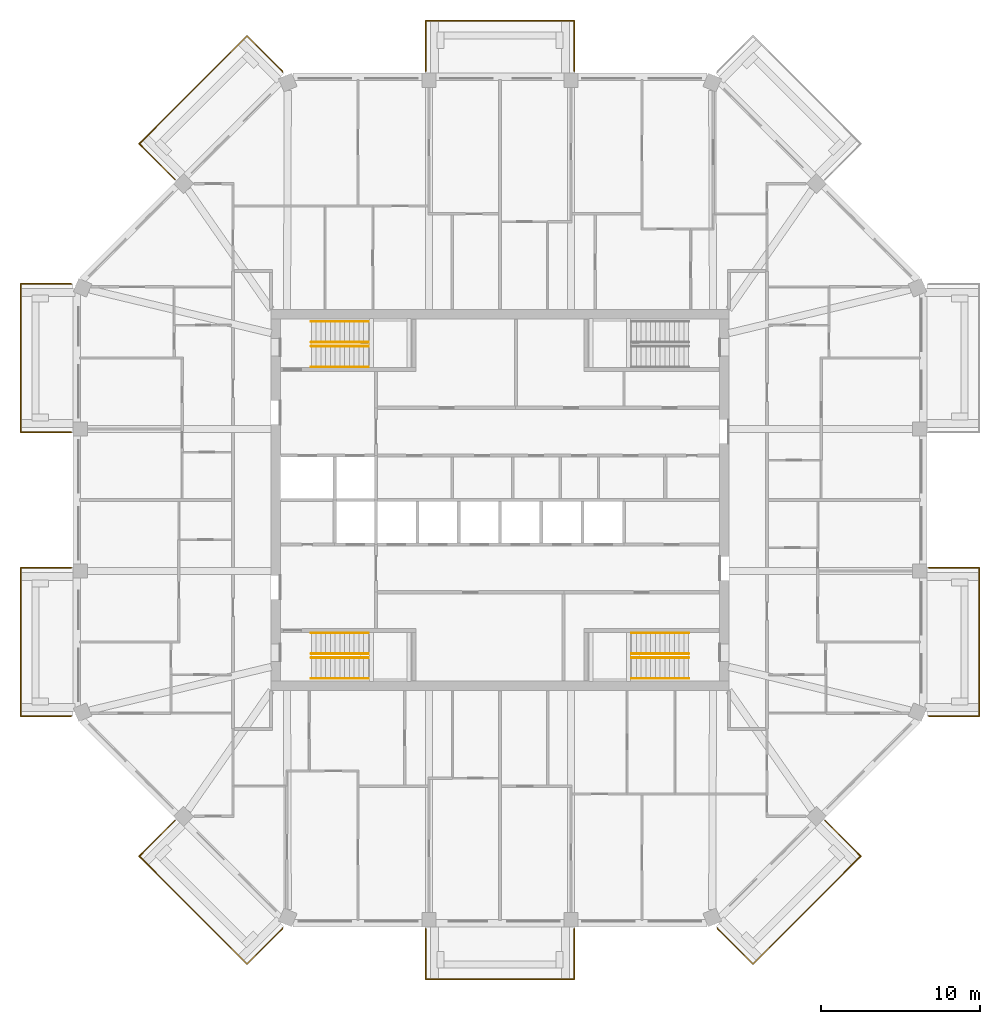
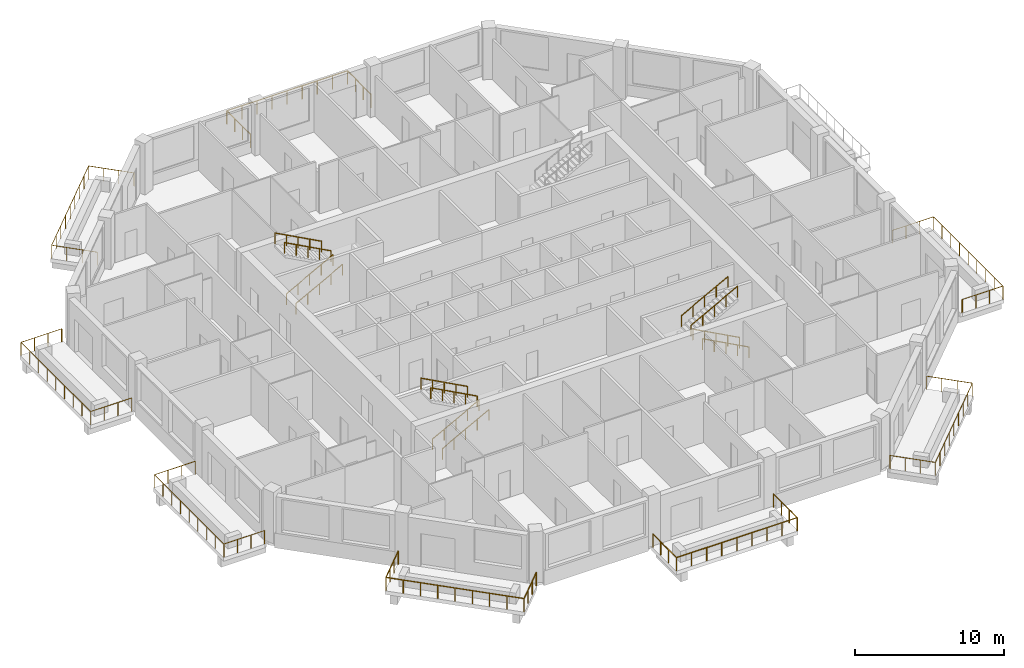
# One storey, part 11 of 12: 20 railings.
"""IFC4 building model written with IfcOpenShell, lengths in metres."""

from ifc_helpers import new_model, si_unit, direction, frame, origin, origin_2d, place, context, subcontext, project, spatial, circle, extrude, material, constituent, constituent_set, type_object, element, save


model = new_model("IFC4")

# Units and contexts
model_context = context("Model", 3, precision=1e-05, world=origin(), true_north=direction((0.0, 1.0)))
body_context = subcontext(model_context, "Body", "Model", "MODEL_VIEW")
ifc_project = project(units=[si_unit("LENGTHUNIT", "METRE"), si_unit("AREAUNIT", "SQUARE_METRE"), si_unit("VOLUMEUNIT", "CUBIC_METRE"), si_unit("PLANEANGLEUNIT", "RADIAN"), si_unit("MASSUNIT", "GRAM", prefix="KILO")], contexts=[model_context])

# Site, building, storey
site_placement = place(None, origin())
site = spatial("IfcSite", under=ifc_project, at=site_placement, CompositionType="ELEMENT")
building_placement = place(site_placement, origin())
building = spatial("IfcBuilding", under=site, at=building_placement, Name="Msitu Wima Residences", CompositionType="ELEMENT")
storey_placement = place(building_placement, frame((0.0, 0.0, 272.699951171875)))
storey = spatial("IfcBuildingStorey", under=building, at=storey_placement, Name="L63", CompositionType="ELEMENT", Elevation=272.699951171875)

# Railings
ifc_material_1 = material(Name="Steel S355", Category="steel")
ifc_constituent_1 = constituent(ifc_material_1, Name="Steel S355")
ifc_material_2 = material(Name="Weathering patina")
ifc_constituent_2 = constituent(ifc_material_2, Name="Weathering patina")
ifc_constituent_set_1 = constituent_set(constituents=[ifc_constituent_1, ifc_constituent_2], Name="Steel S355")
railing_type_1 = type_object("IfcRailingType", Name="Balcony guard GR1100", PredefinedType="GUARDRAIL", material=ifc_constituent_set_1)
railing_1_placement = place(storey_placement, frame((26.97998046875, -4.2685546875, 0.0)))
element("IfcRailing", 1, at=railing_1_placement, inside=storey, type_object=railing_type_1, Name="Balcony guard E0 L63", PredefinedType="GUARDRAIL", context=body_context, shape_type="SweptSolid", body=[
    extrude(circle(Radius=0.02392578125, at=origin_2d()), frame((0.0, 0.0, 1.076171875), z_axis=(1.0, 0.0, 0.0), x_axis=(0.0, 1.0, 0.0)), (0.0, 0.0, 1.0), 3.169921875),
    extrude(circle(Radius=0.02392578125, at=origin_2d()), frame((3.169921875, 0.0, 1.076171875), z_axis=(0.0, -1.0, 0.0), x_axis=(1.0, 0.0, 0.0)), (0.0, 0.0, 1.0), 9.33740234375),
    extrude(circle(Radius=0.02392578125, at=origin_2d()), frame((3.169921875, -9.33740234375, 1.076171875), z_axis=(-1.0, 0.0, 0.0), x_axis=(0.0, -1.0, 0.0)), (0.0, 0.0, 1.0), 3.136474609375),
    extrude(circle(Radius=0.02392578125, at=origin_2d()), frame((0.033447265625, -9.33740234375, 1.076171875), z_axis=(-0.923276184907, 0.384136806859, 0.0), x_axis=(-0.384136806859, -0.923276184907, 0.0)), (0.0, 0.0, 1.0), 0.0361328125),
    extrude(circle(Radius=0.02099609375, at=origin_2d()), origin(), (0.0, 0.0, 1.0), 1.052001953125),
    extrude(circle(Radius=0.02099609375, at=origin_2d()), frame((1.056640625, 0.0, 0.0)), (0.0, 0.0, 1.0), 1.052001953125),
    extrude(circle(Radius=0.02099609375, at=origin_2d()), frame((2.11328125, 0.0, 0.0)), (0.0, 0.0, 1.0), 1.052001953125),
    extrude(circle(Radius=0.02099609375, at=origin_2d()), frame((3.169921875, 0.0, 0.0)), (0.0, 0.0, 1.0), 1.052001953125),
    extrude(circle(Radius=0.02099609375, at=origin_2d()), frame((3.169921875, -1.167236328125, 0.0)), (0.0, 0.0, 1.0), 1.052001953125),
    extrude(circle(Radius=0.02099609375, at=origin_2d()), frame((3.169921875, -2.33447265625, 0.0)), (0.0, 0.0, 1.0), 1.052001953125),
    extrude(circle(Radius=0.02099609375, at=origin_2d()), frame((3.169921875, -3.50146484375, 0.0)), (0.0, 0.0, 1.0), 1.052001953125),
    extrude(circle(Radius=0.02099609375, at=origin_2d()), frame((3.169921875, -4.668701171875, 0.0)), (0.0, 0.0, 1.0), 1.052001953125),
    extrude(circle(Radius=0.02099609375, at=origin_2d()), frame((3.169921875, -5.8359375, 0.0)), (0.0, 0.0, 1.0), 1.052001953125),
    extrude(circle(Radius=0.02099609375, at=origin_2d()), frame((3.169921875, -7.0029296875, 0.0)), (0.0, 0.0, 1.0), 1.052001953125),
    extrude(circle(Radius=0.02099609375, at=origin_2d()), frame((3.169921875, -8.170166015625, 0.0)), (0.0, 0.0, 1.0), 1.052001953125),
    extrude(circle(Radius=0.02099609375, at=origin_2d()), frame((3.169921875, -9.33740234375, 0.0)), (0.0, 0.0, 1.0), 1.052001953125),
    extrude(circle(Radius=0.02099609375, at=origin_2d()), frame((2.12451171875, -9.33740234375, 0.0)), (0.0, 0.0, 1.0), 1.052001953125),
    extrude(circle(Radius=0.02099609375, at=origin_2d()), frame((1.078857421875, -9.33740234375, 0.0)), (0.0, 0.0, 1.0), 1.052001953125),
    extrude(circle(Radius=0.02099609375, at=origin_2d()), frame((0.033447265625, -9.33740234375, 0.0)), (0.0, 0.0, 1.0), 1.052001953125),
    extrude(circle(Radius=0.02099609375, at=origin_2d()), frame((0.0, -9.323486328125, 0.0)), (0.0, 0.0, 1.0), 1.052001953125),
])
railing_2_placement = place(storey_placement, frame((-4.668701171875, 26.97998046875, 0.0)))
element("IfcRailing", 2, at=railing_2_placement, inside=storey, type_object=railing_type_1, Name="Balcony guard N1 L63", PredefinedType="GUARDRAIL", context=body_context, shape_type="SweptSolid", body=[
    extrude(circle(Radius=0.02392578125, at=origin_2d()), frame((0.0, 0.0, 1.076171875), z_axis=(0.0, 1.0, 0.0), x_axis=(-1.0, 0.0, 0.0)), (0.0, 0.0, 1.0), 3.169921875),
    extrude(circle(Radius=0.02392578125, at=origin_2d()), frame((0.0, 3.169921875, 1.076171875), z_axis=(1.0, 0.0, 0.0), x_axis=(0.0, 1.0, 0.0)), (0.0, 0.0, 1.0), 9.33740234375),
    extrude(circle(Radius=0.02392578125, at=origin_2d()), frame((9.33740234375, 3.169921875, 1.076171875), z_axis=(0.0, -1.0, 0.0), x_axis=(1.0, 0.0, 0.0)), (0.0, 0.0, 1.0), 3.169921875),
    extrude(circle(Radius=0.02099609375, at=origin_2d()), origin(), (0.0, 0.0, 1.0), 1.052001953125),
    extrude(circle(Radius=0.02099609375, at=origin_2d()), frame((0.0, 1.056640625, 0.0)), (0.0, 0.0, 1.0), 1.052001953125),
    extrude(circle(Radius=0.02099609375, at=origin_2d()), frame((0.0, 2.11328125, 0.0)), (0.0, 0.0, 1.0), 1.052001953125),
    extrude(circle(Radius=0.02099609375, at=origin_2d()), frame((0.0, 3.169921875, 0.0)), (0.0, 0.0, 1.0), 1.052001953125),
    extrude(circle(Radius=0.02099609375, at=origin_2d()), frame((1.167236328125, 3.169921875, 0.0)), (0.0, 0.0, 1.0), 1.052001953125),
    extrude(circle(Radius=0.02099609375, at=origin_2d()), frame((2.33447265625, 3.169921875, 0.0)), (0.0, 0.0, 1.0), 1.052001953125),
    extrude(circle(Radius=0.02099609375, at=origin_2d()), frame((3.50146484375, 3.169921875, 0.0)), (0.0, 0.0, 1.0), 1.052001953125),
    extrude(circle(Radius=0.02099609375, at=origin_2d()), frame((4.668701171875, 3.169921875, 0.0)), (0.0, 0.0, 1.0), 1.052001953125),
    extrude(circle(Radius=0.02099609375, at=origin_2d()), frame((5.8359375, 3.169921875, 0.0)), (0.0, 0.0, 1.0), 1.052001953125),
    extrude(circle(Radius=0.02099609375, at=origin_2d()), frame((7.0029296875, 3.169921875, 0.0)), (0.0, 0.0, 1.0), 1.052001953125),
    extrude(circle(Radius=0.02099609375, at=origin_2d()), frame((8.170166015625, 3.169921875, 0.0)), (0.0, 0.0, 1.0), 1.052001953125),
    extrude(circle(Radius=0.02099609375, at=origin_2d()), frame((9.33740234375, 3.169921875, 0.0)), (0.0, 0.0, 1.0), 1.052001953125),
    extrude(circle(Radius=0.02099609375, at=origin_2d()), frame((9.33740234375, 2.11328125, 0.0)), (0.0, 0.0, 1.0), 1.052001953125),
    extrude(circle(Radius=0.02099609375, at=origin_2d()), frame((9.33740234375, 1.056640625, 0.0)), (0.0, 0.0, 1.0), 1.052001953125),
    extrude(circle(Radius=0.02099609375, at=origin_2d()), frame((9.33740234375, 0.0, 0.0)), (0.0, 0.0, 1.0), 1.052001953125),
])
railing_3_placement = place(storey_placement, frame((-20.45458984375, 20.171630859375, 0.0)))
element("IfcRailing", 3, at=railing_3_placement, inside=storey, type_object=railing_type_1, Name="Balcony guard NW0 L63", PredefinedType="GUARDRAIL", context=body_context, shape_type="SweptSolid", body=[
    extrude(circle(Radius=0.02392578125, at=origin_2d()), frame((0.0, 0.0, 1.076171875), z_axis=(-0.707106781187, 0.707106781187, 0.0), x_axis=(-0.707106781187, -0.707106781187, 0.0)), (0.0, 0.0, 1.0), 3.169921875),
    extrude(circle(Radius=0.02392578125, at=origin_2d()), frame((-2.241455078125, 2.241455078125, 1.076171875), z_axis=(0.707106781187, 0.707106781187, 0.0), x_axis=(-0.707106781187, 0.707106781187, 0.0)), (0.0, 0.0, 1.0), 9.58837890625),
    extrude(circle(Radius=0.02392578125, at=origin_2d()), frame((4.53857421875, 9.021484375, 1.076171875), z_axis=(0.707106781187, -0.707106781187, 0.0), x_axis=(0.707106781187, 0.707106781187, 0.0)), (0.0, 0.0, 1.0), 3.136474609375),
    extrude(circle(Radius=0.02392578125, at=origin_2d()), frame((6.75634765625, 6.8037109375, 1.076171875), z_axis=(0.38176015442, -0.92426142649, 0.0), x_axis=(0.92426142649, 0.38176015442, 0.0)), (0.0, 0.0, 1.0), 0.036376953125),
    extrude(circle(Radius=0.02099609375, at=origin_2d()), origin(), (0.0, 0.0, 1.0), 1.052001953125),
    extrude(circle(Radius=0.02099609375, at=origin_2d()), frame((-0.7470703125, 0.7470703125, 0.0)), (0.0, 0.0, 1.0), 1.052001953125),
    extrude(circle(Radius=0.02099609375, at=origin_2d()), frame((-1.494384765625, 1.494384765625, 0.0)), (0.0, 0.0, 1.0), 1.052001953125),
    extrude(circle(Radius=0.02099609375, at=origin_2d()), frame((-2.241455078125, 2.241455078125, 0.0)), (0.0, 0.0, 1.0), 1.052001953125),
    extrude(circle(Radius=0.02099609375, at=origin_2d()), frame((-1.39404296875, 3.0888671875, 0.0)), (0.0, 0.0, 1.0), 1.052001953125),
    extrude(circle(Radius=0.02099609375, at=origin_2d()), frame((-0.54638671875, 3.9365234375, 0.0)), (0.0, 0.0, 1.0), 1.052001953125),
    extrude(circle(Radius=0.02099609375, at=origin_2d()), frame((0.301025390625, 4.783935546875, 0.0)), (0.0, 0.0, 1.0), 1.052001953125),
    extrude(circle(Radius=0.02099609375, at=origin_2d()), frame((1.1484375, 5.63134765625, 0.0)), (0.0, 0.0, 1.0), 1.052001953125),
    extrude(circle(Radius=0.02099609375, at=origin_2d()), frame((1.99609375, 6.47900390625, 0.0)), (0.0, 0.0, 1.0), 1.052001953125),
    extrude(circle(Radius=0.02099609375, at=origin_2d()), frame((2.843505859375, 7.326416015625, 0.0)), (0.0, 0.0, 1.0), 1.052001953125),
    extrude(circle(Radius=0.02099609375, at=origin_2d()), frame((3.691162109375, 8.174072265625, 0.0)), (0.0, 0.0, 1.0), 1.052001953125),
    extrude(circle(Radius=0.02099609375, at=origin_2d()), frame((4.53857421875, 9.021484375, 0.0)), (0.0, 0.0, 1.0), 1.052001953125),
    extrude(circle(Radius=0.02099609375, at=origin_2d()), frame((5.27783203125, 8.2822265625, 0.0)), (0.0, 0.0, 1.0), 1.052001953125),
    extrude(circle(Radius=0.02099609375, at=origin_2d()), frame((6.01708984375, 7.54296875, 0.0)), (0.0, 0.0, 1.0), 1.052001953125),
    extrude(circle(Radius=0.02099609375, at=origin_2d()), frame((6.75634765625, 6.8037109375, 0.0)), (0.0, 0.0, 1.0), 1.052001953125),
    extrude(circle(Radius=0.02099609375, at=origin_2d()), frame((6.770263671875, 6.77001953125, 0.0)), (0.0, 0.0, 1.0), 1.052001953125),
])
railing_4_placement = place(storey_placement, frame((-26.97998046875, 4.2685546875, 0.0)))
element("IfcRailing", 4, at=railing_4_placement, inside=storey, type_object=railing_type_1, Name="Balcony guard W0 L63", PredefinedType="GUARDRAIL", context=body_context, shape_type="SweptSolid", body=[
    extrude(circle(Radius=0.02392578125, at=origin_2d()), frame((0.0, 0.0, 1.076171875), z_axis=(-1.0, 0.0, 0.0), x_axis=(0.0, -1.0, 0.0)), (0.0, 0.0, 1.0), 3.169921875),
    extrude(circle(Radius=0.02392578125, at=origin_2d()), frame((-3.169921875, 0.0, 1.076171875), z_axis=(0.0, 1.0, 0.0), x_axis=(-1.0, 0.0, 0.0)), (0.0, 0.0, 1.0), 9.33740234375),
    extrude(circle(Radius=0.02392578125, at=origin_2d()), frame((-3.169921875, 9.33740234375, 1.076171875), z_axis=(1.0, 0.0, 0.0), x_axis=(0.0, 1.0, 0.0)), (0.0, 0.0, 1.0), 3.136474609375),
    extrude(circle(Radius=0.02392578125, at=origin_2d()), frame((-0.033447265625, 9.33740234375, 1.076171875), z_axis=(0.923276184907, -0.384136806859, 0.0), x_axis=(0.384136806859, 0.923276184907, 0.0)), (0.0, 0.0, 1.0), 0.0361328125),
    extrude(circle(Radius=0.02099609375, at=origin_2d()), origin(), (0.0, 0.0, 1.0), 1.052001953125),
    extrude(circle(Radius=0.02099609375, at=origin_2d()), frame((-1.056640625, 0.0, 0.0)), (0.0, 0.0, 1.0), 1.052001953125),
    extrude(circle(Radius=0.02099609375, at=origin_2d()), frame((-2.11328125, 0.0, 0.0)), (0.0, 0.0, 1.0), 1.052001953125),
    extrude(circle(Radius=0.02099609375, at=origin_2d()), frame((-3.169921875, 0.0, 0.0)), (0.0, 0.0, 1.0), 1.052001953125),
    extrude(circle(Radius=0.02099609375, at=origin_2d()), frame((-3.169921875, 1.167236328125, 0.0)), (0.0, 0.0, 1.0), 1.052001953125),
    extrude(circle(Radius=0.02099609375, at=origin_2d()), frame((-3.169921875, 2.33447265625, 0.0)), (0.0, 0.0, 1.0), 1.052001953125),
    extrude(circle(Radius=0.02099609375, at=origin_2d()), frame((-3.169921875, 3.50146484375, 0.0)), (0.0, 0.0, 1.0), 1.052001953125),
    extrude(circle(Radius=0.02099609375, at=origin_2d()), frame((-3.169921875, 4.668701171875, 0.0)), (0.0, 0.0, 1.0), 1.052001953125),
    extrude(circle(Radius=0.02099609375, at=origin_2d()), frame((-3.169921875, 5.8359375, 0.0)), (0.0, 0.0, 1.0), 1.052001953125),
    extrude(circle(Radius=0.02099609375, at=origin_2d()), frame((-3.169921875, 7.0029296875, 0.0)), (0.0, 0.0, 1.0), 1.052001953125),
    extrude(circle(Radius=0.02099609375, at=origin_2d()), frame((-3.169921875, 8.170166015625, 0.0)), (0.0, 0.0, 1.0), 1.052001953125),
    extrude(circle(Radius=0.02099609375, at=origin_2d()), frame((-3.169921875, 9.33740234375, 0.0)), (0.0, 0.0, 1.0), 1.052001953125),
    extrude(circle(Radius=0.02099609375, at=origin_2d()), frame((-2.12451171875, 9.33740234375, 0.0)), (0.0, 0.0, 1.0), 1.052001953125),
    extrude(circle(Radius=0.02099609375, at=origin_2d()), frame((-1.078857421875, 9.33740234375, 0.0)), (0.0, 0.0, 1.0), 1.052001953125),
    extrude(circle(Radius=0.02099609375, at=origin_2d()), frame((-0.033447265625, 9.33740234375, 0.0)), (0.0, 0.0, 1.0), 1.052001953125),
    extrude(circle(Radius=0.02099609375, at=origin_2d()), frame((0.0, 9.323486328125, 0.0)), (0.0, 0.0, 1.0), 1.052001953125),
])
railing_5_placement = place(storey_placement, frame((-26.97998046875, -13.592041015625, 0.0)))
element("IfcRailing", 5, at=railing_5_placement, inside=storey, type_object=railing_type_1, Name="Balcony guard W2 L63", PredefinedType="GUARDRAIL", context=body_context, shape_type="SweptSolid", body=[
    extrude(circle(Radius=0.02392578125, at=origin_2d()), frame((0.0, 0.0, 1.076171875), z_axis=(-0.923276184907, -0.384136806859, 0.0), x_axis=(0.384136806859, -0.923276184907, 0.0)), (0.0, 0.0, 1.0), 0.0361328125),
    extrude(circle(Radius=0.02392578125, at=origin_2d()), frame((-0.033447265625, -0.013916015625, 1.076171875), z_axis=(-1.0, 0.0, 0.0), x_axis=(0.0, -1.0, 0.0)), (0.0, 0.0, 1.0), 3.136474609375),
    extrude(circle(Radius=0.02392578125, at=origin_2d()), frame((-3.169921875, -0.013916015625, 1.076171875), z_axis=(0.0, 1.0, 0.0), x_axis=(-1.0, 0.0, 0.0)), (0.0, 0.0, 1.0), 9.33740234375),
    extrude(circle(Radius=0.02392578125, at=origin_2d()), frame((-3.169921875, 9.323486328125, 1.076171875), z_axis=(1.0, 0.0, 0.0), x_axis=(0.0, 1.0, 0.0)), (0.0, 0.0, 1.0), 3.169921875),
    extrude(circle(Radius=0.02099609375, at=origin_2d()), origin(), (0.0, 0.0, 1.0), 1.052001953125),
    extrude(circle(Radius=0.02099609375, at=origin_2d()), frame((-0.033447265625, -0.013916015625, 0.0)), (0.0, 0.0, 1.0), 1.052001953125),
    extrude(circle(Radius=0.02099609375, at=origin_2d()), frame((-1.078857421875, -0.013916015625, 0.0)), (0.0, 0.0, 1.0), 1.052001953125),
    extrude(circle(Radius=0.02099609375, at=origin_2d()), frame((-2.12451171875, -0.013916015625, 0.0)), (0.0, 0.0, 1.0), 1.052001953125),
    extrude(circle(Radius=0.02099609375, at=origin_2d()), frame((-3.169921875, -0.013916015625, 0.0)), (0.0, 0.0, 1.0), 1.052001953125),
    extrude(circle(Radius=0.02099609375, at=origin_2d()), frame((-3.169921875, 1.1533203125, 0.0)), (0.0, 0.0, 1.0), 1.052001953125),
    extrude(circle(Radius=0.02099609375, at=origin_2d()), frame((-3.169921875, 2.3203125, 0.0)), (0.0, 0.0, 1.0), 1.052001953125),
    extrude(circle(Radius=0.02099609375, at=origin_2d()), frame((-3.169921875, 3.487548828125, 0.0)), (0.0, 0.0, 1.0), 1.052001953125),
    extrude(circle(Radius=0.02099609375, at=origin_2d()), frame((-3.169921875, 4.65478515625, 0.0)), (0.0, 0.0, 1.0), 1.052001953125),
    extrude(circle(Radius=0.02099609375, at=origin_2d()), frame((-3.169921875, 5.822021484375, 0.0)), (0.0, 0.0, 1.0), 1.052001953125),
    extrude(circle(Radius=0.02099609375, at=origin_2d()), frame((-3.169921875, 6.9892578125, 0.0)), (0.0, 0.0, 1.0), 1.052001953125),
    extrude(circle(Radius=0.02099609375, at=origin_2d()), frame((-3.169921875, 8.15625, 0.0)), (0.0, 0.0, 1.0), 1.052001953125),
    extrude(circle(Radius=0.02099609375, at=origin_2d()), frame((-3.169921875, 9.323486328125, 0.0)), (0.0, 0.0, 1.0), 1.052001953125),
    extrude(circle(Radius=0.02099609375, at=origin_2d()), frame((-2.11328125, 9.323486328125, 0.0)), (0.0, 0.0, 1.0), 1.052001953125),
    extrude(circle(Radius=0.02099609375, at=origin_2d()), frame((-1.056640625, 9.323486328125, 0.0)), (0.0, 0.0, 1.0), 1.052001953125),
    extrude(circle(Radius=0.02099609375, at=origin_2d()), frame((0.0, 9.323486328125, 0.0)), (0.0, 0.0, 1.0), 1.052001953125),
])
railing_6_placement = place(storey_placement, frame((-13.684326171875, -26.941650390625, 0.0)))
element("IfcRailing", 6, at=railing_6_placement, inside=storey, type_object=railing_type_1, Name="Balcony guard SW1 L63", PredefinedType="GUARDRAIL", context=body_context, shape_type="SweptSolid", body=[
    extrude(circle(Radius=0.02392578125, at=origin_2d()), frame((0.0, 0.0, 1.076171875), z_axis=(-0.38176015442, -0.92426142649, 0.0), x_axis=(0.92426142649, -0.38176015442, 0.0)), (0.0, 0.0, 1.0), 0.036376953125),
    extrude(circle(Radius=0.02392578125, at=origin_2d()), frame((-0.013916015625, -0.03369140625, 1.076171875), z_axis=(-0.707106781187, -0.707106781187, 0.0), x_axis=(0.707106781187, -0.707106781187, 0.0)), (0.0, 0.0, 1.0), 3.136474609375),
    extrude(circle(Radius=0.02392578125, at=origin_2d()), frame((-2.231689453125, -2.25146484375, 1.076171875), z_axis=(-0.707106781187, 0.707106781187, 0.0), x_axis=(-0.707106781187, -0.707106781187, 0.0)), (0.0, 0.0, 1.0), 9.58837890625),
    extrude(circle(Radius=0.02392578125, at=origin_2d()), frame((-9.01171875, 4.528564453125, 1.076171875), z_axis=(0.707106781187, 0.707106781187, 0.0), x_axis=(-0.707106781187, 0.707106781187, 0.0)), (0.0, 0.0, 1.0), 3.169921875),
    extrude(circle(Radius=0.02099609375, at=origin_2d()), origin(), (0.0, 0.0, 1.0), 1.052001953125),
    extrude(circle(Radius=0.02099609375, at=origin_2d()), frame((-0.013916015625, -0.03369140625, 0.0)), (0.0, 0.0, 1.0), 1.052001953125),
    extrude(circle(Radius=0.02099609375, at=origin_2d()), frame((-0.753173828125, -0.77294921875, 0.0)), (0.0, 0.0, 1.0), 1.052001953125),
    extrude(circle(Radius=0.02099609375, at=origin_2d()), frame((-1.492431640625, -1.51220703125, 0.0)), (0.0, 0.0, 1.0), 1.052001953125),
    extrude(circle(Radius=0.02099609375, at=origin_2d()), frame((-2.231689453125, -2.25146484375, 0.0)), (0.0, 0.0, 1.0), 1.052001953125),
    extrude(circle(Radius=0.02099609375, at=origin_2d()), frame((-3.0791015625, -1.404052734375, 0.0)), (0.0, 0.0, 1.0), 1.052001953125),
    extrude(circle(Radius=0.02099609375, at=origin_2d()), frame((-3.9267578125, -0.556396484375, 0.0)), (0.0, 0.0, 1.0), 1.052001953125),
    extrude(circle(Radius=0.02099609375, at=origin_2d()), frame((-4.774169921875, 0.291015625, 0.0)), (0.0, 0.0, 1.0), 1.052001953125),
    extrude(circle(Radius=0.02099609375, at=origin_2d()), frame((-5.62158203125, 1.138671875, 0.0)), (0.0, 0.0, 1.0), 1.052001953125),
    extrude(circle(Radius=0.02099609375, at=origin_2d()), frame((-6.46923828125, 1.986083984375, 0.0)), (0.0, 0.0, 1.0), 1.052001953125),
    extrude(circle(Radius=0.02099609375, at=origin_2d()), frame((-7.316650390625, 2.83349609375, 0.0)), (0.0, 0.0, 1.0), 1.052001953125),
    extrude(circle(Radius=0.02099609375, at=origin_2d()), frame((-8.164306640625, 3.68115234375, 0.0)), (0.0, 0.0, 1.0), 1.052001953125),
    extrude(circle(Radius=0.02099609375, at=origin_2d()), frame((-9.01171875, 4.528564453125, 0.0)), (0.0, 0.0, 1.0), 1.052001953125),
    extrude(circle(Radius=0.02099609375, at=origin_2d()), frame((-8.2646484375, 5.275634765625, 0.0)), (0.0, 0.0, 1.0), 1.052001953125),
    extrude(circle(Radius=0.02099609375, at=origin_2d()), frame((-7.517333984375, 6.02294921875, 0.0)), (0.0, 0.0, 1.0), 1.052001953125),
    extrude(circle(Radius=0.02099609375, at=origin_2d()), frame((-6.770263671875, 6.77001953125, 0.0)), (0.0, 0.0, 1.0), 1.052001953125),
])
railing_7_placement = place(storey_placement, frame((4.668701171875, -26.97998046875, 0.0)))
element("IfcRailing", 7, at=railing_7_placement, inside=storey, type_object=railing_type_1, Name="Balcony guard S1 L63", PredefinedType="GUARDRAIL", context=body_context, shape_type="SweptSolid", body=[
    extrude(circle(Radius=0.02392578125, at=origin_2d()), frame((0.0, 0.0, 1.076171875), z_axis=(0.0, -1.0, 0.0), x_axis=(1.0, 0.0, 0.0)), (0.0, 0.0, 1.0), 3.169921875),
    extrude(circle(Radius=0.02392578125, at=origin_2d()), frame((0.0, -3.169921875, 1.076171875), z_axis=(-1.0, 0.0, 0.0), x_axis=(0.0, -1.0, 0.0)), (0.0, 0.0, 1.0), 9.33740234375),
    extrude(circle(Radius=0.02392578125, at=origin_2d()), frame((-9.33740234375, -3.169921875, 1.076171875), z_axis=(0.0, 1.0, 0.0), x_axis=(-1.0, 0.0, 0.0)), (0.0, 0.0, 1.0), 3.169921875),
    extrude(circle(Radius=0.02099609375, at=origin_2d()), origin(), (0.0, 0.0, 1.0), 1.052001953125),
    extrude(circle(Radius=0.02099609375, at=origin_2d()), frame((0.0, -1.056640625, 0.0)), (0.0, 0.0, 1.0), 1.052001953125),
    extrude(circle(Radius=0.02099609375, at=origin_2d()), frame((0.0, -2.11328125, 0.0)), (0.0, 0.0, 1.0), 1.052001953125),
    extrude(circle(Radius=0.02099609375, at=origin_2d()), frame((0.0, -3.169921875, 0.0)), (0.0, 0.0, 1.0), 1.052001953125),
    extrude(circle(Radius=0.02099609375, at=origin_2d()), frame((-1.167236328125, -3.169921875, 0.0)), (0.0, 0.0, 1.0), 1.052001953125),
    extrude(circle(Radius=0.02099609375, at=origin_2d()), frame((-2.33447265625, -3.169921875, 0.0)), (0.0, 0.0, 1.0), 1.052001953125),
    extrude(circle(Radius=0.02099609375, at=origin_2d()), frame((-3.50146484375, -3.169921875, 0.0)), (0.0, 0.0, 1.0), 1.052001953125),
    extrude(circle(Radius=0.02099609375, at=origin_2d()), frame((-4.668701171875, -3.169921875, 0.0)), (0.0, 0.0, 1.0), 1.052001953125),
    extrude(circle(Radius=0.02099609375, at=origin_2d()), frame((-5.8359375, -3.169921875, 0.0)), (0.0, 0.0, 1.0), 1.052001953125),
    extrude(circle(Radius=0.02099609375, at=origin_2d()), frame((-7.0029296875, -3.169921875, 0.0)), (0.0, 0.0, 1.0), 1.052001953125),
    extrude(circle(Radius=0.02099609375, at=origin_2d()), frame((-8.170166015625, -3.169921875, 0.0)), (0.0, 0.0, 1.0), 1.052001953125),
    extrude(circle(Radius=0.02099609375, at=origin_2d()), frame((-9.33740234375, -3.169921875, 0.0)), (0.0, 0.0, 1.0), 1.052001953125),
    extrude(circle(Radius=0.02099609375, at=origin_2d()), frame((-9.33740234375, -2.11328125, 0.0)), (0.0, 0.0, 1.0), 1.052001953125),
    extrude(circle(Radius=0.02099609375, at=origin_2d()), frame((-9.33740234375, -1.056640625, 0.0)), (0.0, 0.0, 1.0), 1.052001953125),
    extrude(circle(Radius=0.02099609375, at=origin_2d()), frame((-9.33740234375, 0.0, 0.0)), (0.0, 0.0, 1.0), 1.052001953125),
])
railing_8_placement = place(storey_placement, frame((20.45458984375, -20.171630859375, 0.0)))
element("IfcRailing", 8, at=railing_8_placement, inside=storey, type_object=railing_type_1, Name="Balcony guard SE0 L63", PredefinedType="GUARDRAIL", context=body_context, shape_type="SweptSolid", body=[
    extrude(circle(Radius=0.02392578125, at=origin_2d()), frame((0.0, 0.0, 1.076171875), z_axis=(0.707106781187, -0.707106781187, 0.0), x_axis=(0.707106781187, 0.707106781187, 0.0)), (0.0, 0.0, 1.0), 3.169921875),
    extrude(circle(Radius=0.02392578125, at=origin_2d()), frame((2.241455078125, -2.241455078125, 1.076171875), z_axis=(-0.707106781187, -0.707106781187, 0.0), x_axis=(0.707106781187, -0.707106781187, 0.0)), (0.0, 0.0, 1.0), 9.58837890625),
    extrude(circle(Radius=0.02392578125, at=origin_2d()), frame((-4.53857421875, -9.021484375, 1.076171875), z_axis=(-0.707106781187, 0.707106781187, 0.0), x_axis=(-0.707106781187, -0.707106781187, 0.0)), (0.0, 0.0, 1.0), 3.136474609375),
    extrude(circle(Radius=0.02392578125, at=origin_2d()), frame((-6.75634765625, -6.8037109375, 1.076171875), z_axis=(-0.38176015442, 0.92426142649, 0.0), x_axis=(-0.92426142649, -0.38176015442, 0.0)), (0.0, 0.0, 1.0), 0.036376953125),
    extrude(circle(Radius=0.02099609375, at=origin_2d()), origin(), (0.0, 0.0, 1.0), 1.052001953125),
    extrude(circle(Radius=0.02099609375, at=origin_2d()), frame((0.7470703125, -0.7470703125, 0.0)), (0.0, 0.0, 1.0), 1.052001953125),
    extrude(circle(Radius=0.02099609375, at=origin_2d()), frame((1.494384765625, -1.494384765625, 0.0)), (0.0, 0.0, 1.0), 1.052001953125),
    extrude(circle(Radius=0.02099609375, at=origin_2d()), frame((2.241455078125, -2.241455078125, 0.0)), (0.0, 0.0, 1.0), 1.052001953125),
    extrude(circle(Radius=0.02099609375, at=origin_2d()), frame((1.39404296875, -3.0888671875, 0.0)), (0.0, 0.0, 1.0), 1.052001953125),
    extrude(circle(Radius=0.02099609375, at=origin_2d()), frame((0.54638671875, -3.9365234375, 0.0)), (0.0, 0.0, 1.0), 1.052001953125),
    extrude(circle(Radius=0.02099609375, at=origin_2d()), frame((-0.301025390625, -4.783935546875, 0.0)), (0.0, 0.0, 1.0), 1.052001953125),
    extrude(circle(Radius=0.02099609375, at=origin_2d()), frame((-1.1484375, -5.63134765625, 0.0)), (0.0, 0.0, 1.0), 1.052001953125),
    extrude(circle(Radius=0.02099609375, at=origin_2d()), frame((-1.99609375, -6.47900390625, 0.0)), (0.0, 0.0, 1.0), 1.052001953125),
    extrude(circle(Radius=0.02099609375, at=origin_2d()), frame((-2.843505859375, -7.326416015625, 0.0)), (0.0, 0.0, 1.0), 1.052001953125),
    extrude(circle(Radius=0.02099609375, at=origin_2d()), frame((-3.691162109375, -8.174072265625, 0.0)), (0.0, 0.0, 1.0), 1.052001953125),
    extrude(circle(Radius=0.02099609375, at=origin_2d()), frame((-4.53857421875, -9.021484375, 0.0)), (0.0, 0.0, 1.0), 1.052001953125),
    extrude(circle(Radius=0.02099609375, at=origin_2d()), frame((-5.27783203125, -8.2822265625, 0.0)), (0.0, 0.0, 1.0), 1.052001953125),
    extrude(circle(Radius=0.02099609375, at=origin_2d()), frame((-6.01708984375, -7.54296875, 0.0)), (0.0, 0.0, 1.0), 1.052001953125),
    extrude(circle(Radius=0.02099609375, at=origin_2d()), frame((-6.75634765625, -6.8037109375, 0.0)), (0.0, 0.0, 1.0), 1.052001953125),
    extrude(circle(Radius=0.02099609375, at=origin_2d()), frame((-6.770263671875, -6.77001953125, 0.0)), (0.0, 0.0, 1.0), 1.052001953125),
])
ifc_constituent_3 = constituent(ifc_material_1, Name="Steel S355")
ifc_material_3 = material(Name="Black powder coating")
ifc_constituent_4 = constituent(ifc_material_3, Name="Black powder coating")
ifc_constituent_set_2 = constituent_set(constituents=[ifc_constituent_3, ifc_constituent_4], Name="Steel S355")
railing_type_2 = type_object("IfcRailingType", Name="Stair handrail HR1", PredefinedType="HANDRAIL", material=ifc_constituent_set_2)
for number, where, name in (
    (9, (-11.875, 8.375, 0.16162109375), "Stair 1 handrail"),
    (10, (-11.875, 9.675048828125, 0.16162109375), "Stair 1 handrail"),
):
    element("IfcRailing", number, at=place(storey_placement, frame(where)), inside=storey, type_object=railing_type_2, Name=name, PredefinedType="HANDRAIL", context=body_context, shape_type="SweptSolid", body=[
        extrude(circle(Radius=0.02392578125, at=origin_2d()), frame((0.0, 0.0, 0.8759765625), z_axis=(0.880474934443, 0.0, 0.474092701714), x_axis=(0.0, 1.0, 0.0)), (0.0, 0.0, 1.0), 4.0888671875),
        extrude(circle(Radius=0.02099609375, at=origin_2d()), origin(), (0.0, 0.0, 1.0), 0.851806640625),
        extrude(circle(Radius=0.02099609375, at=origin_2d()), frame((0.89990234375, 0.0, 0.484619140625)), (0.0, 0.0, 1.0), 0.851806640625),
        extrude(circle(Radius=0.02099609375, at=origin_2d()), frame((1.800048828125, 0.0, 0.96923828125)), (0.0, 0.0, 1.0), 0.851806640625),
        extrude(circle(Radius=0.02099609375, at=origin_2d()), frame((2.7001953125, 0.0, 1.453857421875)), (0.0, 0.0, 1.0), 0.851806640625),
        extrude(circle(Radius=0.02099609375, at=origin_2d()), frame((3.60009765625, 0.0, 1.9384765625)), (0.0, 0.0, 1.0), 0.851806640625),
    ])
for number, where, name in (
    (11, (-8.27490234375, 9.925048828125, 2.261474609375), "Stair 1 handrail"),
    (12, (-8.27490234375, 11.22509765625, 2.261474609375), "Stair 1 handrail"),
):
    element("IfcRailing", number, at=place(storey_placement, frame(where)), inside=storey, type_object=railing_type_2, Name=name, PredefinedType="HANDRAIL", context=body_context, shape_type="SweptSolid", body=[
        extrude(circle(Radius=0.02392578125, at=origin_2d()), frame((0.0, 0.0, 0.8759765625), z_axis=(-0.880474934443, 0.0, 0.474092701714), x_axis=(0.0, -1.0, 0.0)), (0.0, 0.0, 1.0), 4.0888671875),
        extrude(circle(Radius=0.02099609375, at=origin_2d()), origin(), (0.0, 0.0, 1.0), 0.851806640625),
        extrude(circle(Radius=0.02099609375, at=origin_2d()), frame((-0.89990234375, 0.0, 0.484619140625)), (0.0, 0.0, 1.0), 0.851806640625),
        extrude(circle(Radius=0.02099609375, at=origin_2d()), frame((-1.800048828125, 0.0, 0.96923828125)), (0.0, 0.0, 1.0), 0.851806640625),
        extrude(circle(Radius=0.02099609375, at=origin_2d()), frame((-2.7001953125, 0.0, 1.453857421875)), (0.0, 0.0, 1.0), 0.851806640625),
        extrude(circle(Radius=0.02099609375, at=origin_2d()), frame((-3.60009765625, 0.0, 1.9384765625)), (0.0, 0.0, 1.0), 0.851806640625),
    ])
for number, where, name in (
    (13, (-11.875, -11.22509765625, 0.16162109375), "Stair 2 handrail"),
    (14, (-11.875, -9.925048828125, 0.16162109375), "Stair 2 handrail"),
):
    element("IfcRailing", number, at=place(storey_placement, frame(where)), inside=storey, type_object=railing_type_2, Name=name, PredefinedType="HANDRAIL", context=body_context, shape_type="SweptSolid", body=[
        extrude(circle(Radius=0.02392578125, at=origin_2d()), frame((0.0, 0.0, 0.8759765625), z_axis=(0.880474934443, 0.0, 0.474092701714), x_axis=(0.0, 1.0, 0.0)), (0.0, 0.0, 1.0), 4.0888671875),
        extrude(circle(Radius=0.02099609375, at=origin_2d()), origin(), (0.0, 0.0, 1.0), 0.851806640625),
        extrude(circle(Radius=0.02099609375, at=origin_2d()), frame((0.89990234375, 0.0, 0.484619140625)), (0.0, 0.0, 1.0), 0.851806640625),
        extrude(circle(Radius=0.02099609375, at=origin_2d()), frame((1.800048828125, 0.0, 0.96923828125)), (0.0, 0.0, 1.0), 0.851806640625),
        extrude(circle(Radius=0.02099609375, at=origin_2d()), frame((2.7001953125, 0.0, 1.453857421875)), (0.0, 0.0, 1.0), 0.851806640625),
        extrude(circle(Radius=0.02099609375, at=origin_2d()), frame((3.60009765625, 0.0, 1.9384765625)), (0.0, 0.0, 1.0), 0.851806640625),
    ])
for number, where, name in (
    (15, (-8.27490234375, -9.675048828125, 2.261474609375), "Stair 2 handrail"),
    (16, (-8.27490234375, -8.375, 2.261474609375), "Stair 2 handrail"),
    (17, (11.875, -11.22509765625, 0.16162109375), "Stair 4 handrail"),
    (18, (11.875, -9.925048828125, 0.16162109375), "Stair 4 handrail"),
):
    element("IfcRailing", number, at=place(storey_placement, frame(where)), inside=storey, type_object=railing_type_2, Name=name, PredefinedType="HANDRAIL", context=body_context, shape_type="SweptSolid", body=[
        extrude(circle(Radius=0.02392578125, at=origin_2d()), frame((0.0, 0.0, 0.8759765625), z_axis=(-0.880474934443, 0.0, 0.474092701714), x_axis=(0.0, -1.0, 0.0)), (0.0, 0.0, 1.0), 4.0888671875),
        extrude(circle(Radius=0.02099609375, at=origin_2d()), origin(), (0.0, 0.0, 1.0), 0.851806640625),
        extrude(circle(Radius=0.02099609375, at=origin_2d()), frame((-0.89990234375, 0.0, 0.484619140625)), (0.0, 0.0, 1.0), 0.851806640625),
        extrude(circle(Radius=0.02099609375, at=origin_2d()), frame((-1.800048828125, 0.0, 0.96923828125)), (0.0, 0.0, 1.0), 0.851806640625),
        extrude(circle(Radius=0.02099609375, at=origin_2d()), frame((-2.7001953125, 0.0, 1.453857421875)), (0.0, 0.0, 1.0), 0.851806640625),
        extrude(circle(Radius=0.02099609375, at=origin_2d()), frame((-3.60009765625, 0.0, 1.9384765625)), (0.0, 0.0, 1.0), 0.851806640625),
    ])
for number, where, name in (
    (19, (8.27490234375, -9.675048828125, 2.261474609375), "Stair 4 handrail"),
    (20, (8.27490234375, -8.375, 2.261474609375), "Stair 4 handrail"),
):
    element("IfcRailing", number, at=place(storey_placement, frame(where)), inside=storey, type_object=railing_type_2, Name=name, PredefinedType="HANDRAIL", context=body_context, shape_type="SweptSolid", body=[
        extrude(circle(Radius=0.02392578125, at=origin_2d()), frame((0.0, 0.0, 0.8759765625), z_axis=(0.880474934443, 0.0, 0.474092701714), x_axis=(0.0, 1.0, 0.0)), (0.0, 0.0, 1.0), 4.0888671875),
        extrude(circle(Radius=0.02099609375, at=origin_2d()), origin(), (0.0, 0.0, 1.0), 0.851806640625),
        extrude(circle(Radius=0.02099609375, at=origin_2d()), frame((0.89990234375, 0.0, 0.484619140625)), (0.0, 0.0, 1.0), 0.851806640625),
        extrude(circle(Radius=0.02099609375, at=origin_2d()), frame((1.800048828125, 0.0, 0.96923828125)), (0.0, 0.0, 1.0), 0.851806640625),
        extrude(circle(Radius=0.02099609375, at=origin_2d()), frame((2.7001953125, 0.0, 1.453857421875)), (0.0, 0.0, 1.0), 0.851806640625),
        extrude(circle(Radius=0.02099609375, at=origin_2d()), frame((3.60009765625, 0.0, 1.9384765625)), (0.0, 0.0, 1.0), 0.851806640625),
    ])

save(model, "model.ifc")
